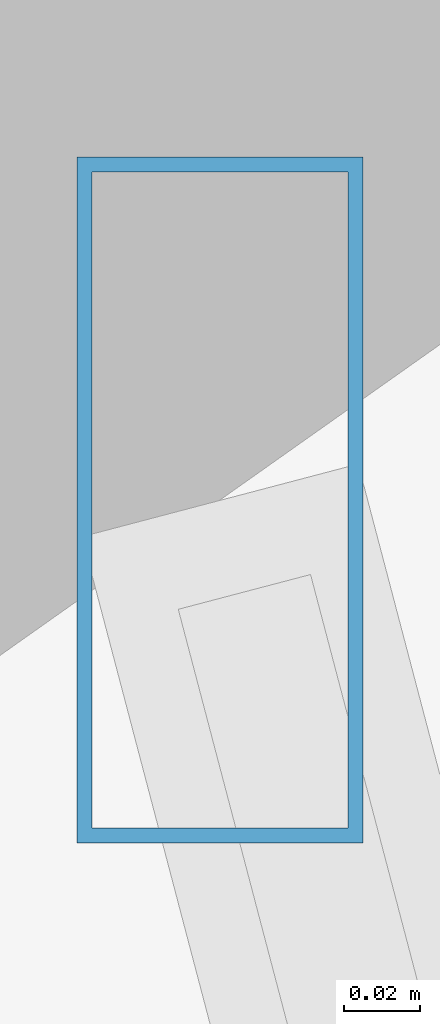
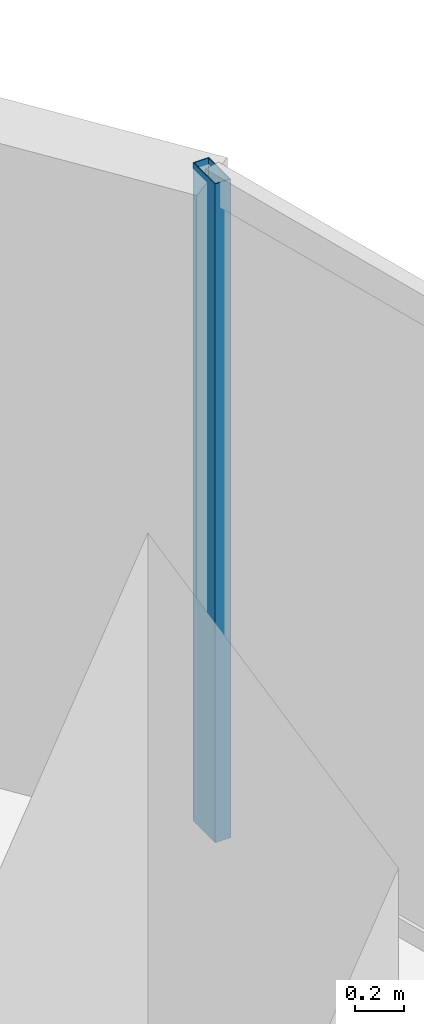
# One storey, part 17 of 33: 1 member, 1 element without a shape of its own.
"""IFC4 building model written with IfcOpenShell, lengths in metres."""

from ifc_helpers import new_model, si_unit, direction, frame, origin, origin_2d, place, context, subcontext, project, spatial, hollow_rectangle, extrude, material, material_profile, profile_set, type_object, element, aggregate, save


model = new_model("IFC4")

# Units and contexts
model_context = context("Model", 3, precision=1e-05, world=origin(), true_north=direction((0.0, 1.0)))
body_context = subcontext(model_context, "Body", "Model", "MODEL_VIEW")
ifc_project = project(units=[si_unit("LENGTHUNIT", "METRE"), si_unit("AREAUNIT", "SQUARE_METRE"), si_unit("VOLUMEUNIT", "CUBIC_METRE"), si_unit("PLANEANGLEUNIT", "RADIAN"), si_unit("MASSUNIT", "GRAM", prefix="KILO")], contexts=[model_context])

# Site, building, storey
site_placement = place(None, origin())
site = spatial("IfcSite", under=ifc_project, at=site_placement, CompositionType="ELEMENT")
building_placement = place(site_placement, origin())
building = spatial("IfcBuilding", under=site, at=building_placement, Name="Vorneva Point Tower", CompositionType="ELEMENT")
storey_placement = place(building_placement, frame((0.0, 0.0, 34.5)))
storey = spatial("IfcBuildingStorey", under=building, at=storey_placement, Name="L08", CompositionType="ELEMENT", Elevation=34.5)

# Curtain wall, member
ifc_material = material(Name="Pale anodised aluminium", Category="aluminium")
curtain_wall_type = type_object("IfcCurtainWallType", Name="CW-HTL-SYS", PredefinedType="NOTDEFINED", material=ifc_material)
curtain_wall_placement = place(storey_placement, origin())
curtain_wall = element("IfcCurtainWall", 1, at=curtain_wall_placement, inside=storey, type_object=curtain_wall_type, Name="L08 Unitised Curtain Wall CW-L08-R01", PredefinedType="NOTDEFINED")
ifc_material_profile = material_profile(ifc_material, hollow_rectangle(XDim=0.074951171875, YDim=0.179931640625, WallThickness=0.00390625, at=origin_2d()), Name="AL-MUL 180x75x4")
ifc_profile_set = profile_set([ifc_material_profile], Name="Pale anodised aluminium")
member_type = type_object("IfcMemberType", Name="CW-MUL-180", PredefinedType="MULLION", material=ifc_profile_set)
member_placement = place(storey_placement, frame((65.300537109375, 34.552978515625, -0.0400390625), z_axis=(0.0, 0.0, 1.0), x_axis=(1.0, 0.0, 0.0)))
member = element("IfcMember", 2, at=member_placement, type_object=member_type, Name="CW-L08-R01 Mullion 04", PredefinedType="MULLION", context=body_context, shape_type="SweptSolid", body=[
    extrude(hollow_rectangle(XDim=0.074951171875, YDim=0.179931640625, WallThickness=0.00390625, at=origin_2d()), origin(), (0.0, 0.0, 1.0), 3.31005859375),
])
aggregate(curtain_wall, [member])

save(model, "model.ifc")
